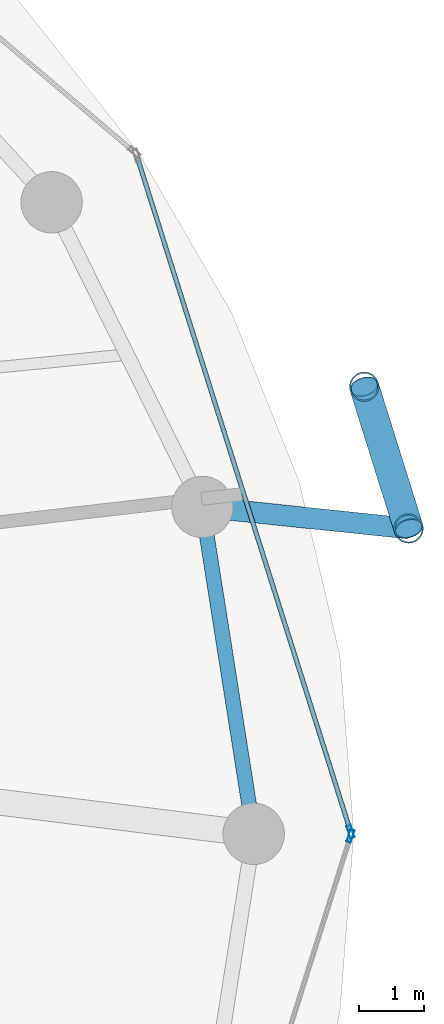
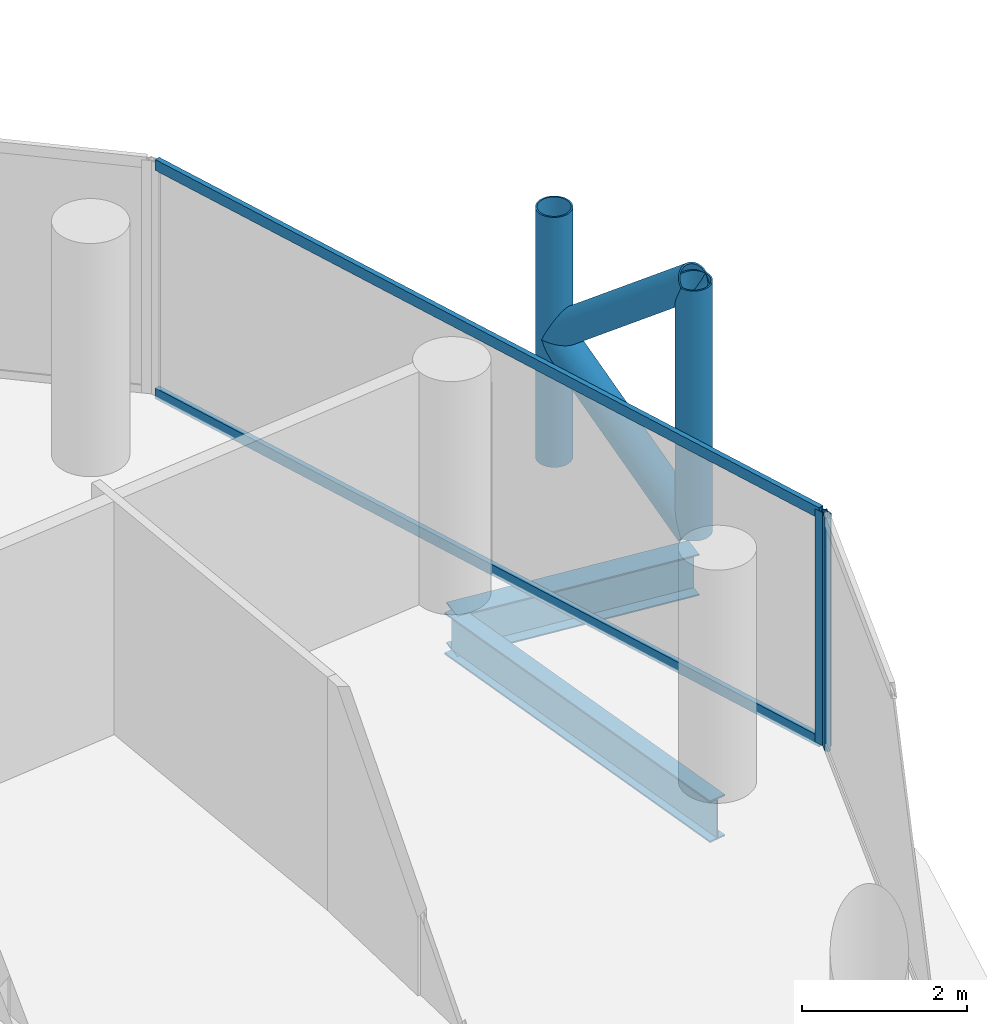
# One storey, part 12 of 26: 8 members, 2 beams, 2 elements without a shape of their own.
"""IFC4 building model written with IfcOpenShell, lengths in metres."""

from ifc_helpers import new_model, si_unit, direction, frame, origin, origin_2d, place, context, subcontext, project, spatial, hollow_rectangle, hollow_circle, i_section, extrude, material, layer, layer_set, material_profile, profile_set, type_object, element, aggregate, save


model = new_model("IFC4")

# Units and contexts
model_context = context("Model", 3, precision=1e-05, world=origin(), true_north=direction((0.0, 1.0)))
body_context = subcontext(model_context, "Body", "Model", "MODEL_VIEW")
ifc_project = project(units=[si_unit("LENGTHUNIT", "METRE"), si_unit("AREAUNIT", "SQUARE_METRE"), si_unit("VOLUMEUNIT", "CUBIC_METRE"), si_unit("PLANEANGLEUNIT", "RADIAN"), si_unit("MASSUNIT", "GRAM", prefix="KILO")], contexts=[model_context])

# Site, building, storey
site_placement = place(None, origin())
site = spatial("IfcSite", under=ifc_project, at=site_placement, CompositionType="ELEMENT")
building_placement = place(site_placement, origin())
building = spatial("IfcBuilding", under=site, at=building_placement, Name="Nuhasar Tower", CompositionType="ELEMENT")
storey_placement = place(building_placement, frame((0.0, 0.0, 133.050048828125)))
storey = spatial("IfcBuildingStorey", under=building, at=storey_placement, Name="L31", CompositionType="ELEMENT", Elevation=133.050048828125)

# Beams
ifc_material_1 = material(Name="Steel S355", Category="steel")
ifc_material_profile_1 = material_profile(ifc_material_1, i_section(OverallWidth=0.22998046875, OverallDepth=0.616943359375, WebThickness=0.01318359375, FlangeThickness=0.022216796875, at=origin_2d()), Name="W24X94")
ifc_profile_set_1 = profile_set([ifc_material_profile_1], Name="Steel S355")
beam_type_1 = type_object("IfcBeamType", Name="BM-RING-W24X94", PredefinedType="SPANDREL", material=ifc_profile_set_1)
beam_1_placement = place(storey_placement, frame((62.35009765625, 26.800048828125, -0.55810546875), z_axis=(-0.155426543608, 0.987847452566, 0.0), x_axis=(-0.987847452566, -0.155426543608, 0.0)))
element("IfcBeam", 1, at=beam_1_placement, inside=storey, type_object=beam_type_1, Name="L31 Perimeter Ring Spandrel 01", PredefinedType="SPANDREL", context=body_context, shape_type="SweptSolid", body=[
    extrude(i_section(OverallWidth=0.22998046875, OverallDepth=0.616943359375, WebThickness=0.01318359375, FlangeThickness=0.022216796875, at=origin_2d()), origin(), (0.0, 0.0, 1.0), 5.122314453125),
])
ifc_material_profile_2 = material_profile(ifc_material_1, i_section(OverallWidth=0.323974609375, OverallDepth=0.611083984375, WebThickness=0.0126953125, FlangeThickness=0.01904296875, at=origin_2d()), Name="W24X104")
ifc_profile_set_2 = profile_set([ifc_material_profile_2], Name="Steel S355")
beam_type_2 = type_object("IfcBeamType", Name="BM-TIE-W24X104", PredefinedType="BEAM", material=ifc_profile_set_2)
beam_2_placement = place(storey_placement, frame((61.553955078125, 31.860107421875, -0.554931640625), z_axis=(0.994569828715, -0.104071397654, 0.0), x_axis=(0.104071397654, 0.994569828715, 0.0)))
element("IfcBeam", 2, at=beam_2_placement, inside=storey, type_object=beam_type_2, Name="L31 Exoskeleton Node Tie Beam 01", PredefinedType="BEAM", context=body_context, shape_type="SweptSolid", body=[
    extrude(i_section(OverallWidth=0.323974609375, OverallDepth=0.611083984375, WebThickness=0.0126953125, FlangeThickness=0.01904296875, at=origin_2d()), origin(), (0.0, 0.0, 1.0), 3.21142578125),
])

# Curtain wall, member
ifc_material_2 = material(Name="Aluminium 6063-T6", Category="aluminium")
ifc_layer = layer(ifc_material_2, 0.199951171875)
ifc_layer_set = layer_set([ifc_layer], Name="Aluminium 6063-T6")
curtain_wall_type = type_object("IfcCurtainWallType", Name="CW-Z2-HTL", PredefinedType="NOTDEFINED", material=ifc_layer_set)
curtain_wall_1_placement = place(storey_placement, origin())
curtain_wall_1 = element("IfcCurtainWall", 3, at=curtain_wall_1_placement, inside=storey, type_object=curtain_wall_type, Name="L31 Unitised Curtain Wall 01", PredefinedType="NOTDEFINED")
ifc_material_profile_3 = material_profile(ifc_material_2, hollow_rectangle(XDim=0.070068359375, YDim=0.199951171875, WallThickness=0.0048828125, at=origin_2d()), Name="CWM-3")
ifc_profile_set_3 = profile_set([ifc_material_profile_3], Name="Aluminium 6063-T6")
member_type_1 = type_object("IfcMemberType", Name="CW-MUL-S3", PredefinedType="MULLION", material=ifc_profile_set_3)
member_1_placement = place(storey_placement, frame((63.849365234375, 26.833251953125, 0.0), z_axis=(0.0, 0.0, 1.0), x_axis=(-0.953433389233, -0.301603667577, 0.0)))
member_1 = element("IfcMember", 4, at=member_1_placement, type_object=member_type_1, Name="CW-Z2 mullion 1", PredefinedType="MULLION", context=body_context, shape_type="SweptSolid", body=[
    extrude(hollow_rectangle(XDim=0.070068359375, YDim=0.199951171875, WallThickness=0.0048828125, at=origin_2d()), origin(), (0.0, 0.0, 1.0), 3.449951171875),
])

curtain_wall_2_placement = place(storey_placement, origin())
curtain_wall_2 = element("IfcCurtainWall", 5, at=curtain_wall_2_placement, inside=storey, type_object=curtain_wall_type, Name="L31 Unitised Curtain Wall 12", PredefinedType="NOTDEFINED")
member_2_placement = place(storey_placement, frame((63.849365234375, 26.7666015625, 0.0), z_axis=(0.0, 0.0, 1.0), x_axis=(-0.953433389233, 0.301603667577, 0.0)))
member_2 = element("IfcMember", 6, at=member_2_placement, type_object=member_type_1, Name="CW-Z2 mullion 2", PredefinedType="MULLION", context=body_context, shape_type="SweptSolid", body=[
    extrude(hollow_rectangle(XDim=0.070068359375, YDim=0.199951171875, WallThickness=0.0048828125, at=origin_2d()), origin(), (0.0, 0.0, 1.0), 3.449951171875),
])
aggregate(curtain_wall_2, [member_2])

# Member
ifc_material_profile_4 = material_profile(ifc_material_2, hollow_rectangle(XDim=0.070068359375, YDim=0.159912109375, WallThickness=0.00439453125, at=origin_2d()), Name="CWT-3")
ifc_profile_set_4 = profile_set([ifc_material_profile_4], Name="Aluminium 6063-T6")
member_type_2 = type_object("IfcMemberType", Name="CW-TRN-S3", PredefinedType="USERDEFINED", material=ifc_profile_set_4)
member_3_placement = place(storey_placement, frame((63.8388671875, 26.86669921875, 0.034912109375), z_axis=(-0.301608163352, 0.953431967053, 0.0), x_axis=(-0.953431967053, -0.301608163352, 0.0)))
member_3 = element("IfcMember", 7, at=member_3_placement, type_object=member_type_2, Name="CW-Z2 transom 1.1", ObjectType="TRANSOM", PredefinedType="USERDEFINED", context=body_context, shape_type="SweptSolid", body=[
    extrude(hollow_rectangle(XDim=0.070068359375, YDim=0.159912109375, WallThickness=0.00439453125, at=origin_2d()), origin(), (0.0, 0.0, 1.0), 10.904296875),
])

member_4_placement = place(storey_placement, frame((63.8388671875, 26.86669921875, 3.4150390625), z_axis=(-0.301608163352, 0.953431967053, 0.0), x_axis=(-0.953431967053, -0.301608163352, 0.0)))
member_4 = element("IfcMember", 8, at=member_4_placement, type_object=member_type_2, Name="CW-Z2 transom 1.2", ObjectType="TRANSOM", PredefinedType="USERDEFINED", context=body_context, shape_type="SweptSolid", body=[
    extrude(hollow_rectangle(XDim=0.070068359375, YDim=0.159912109375, WallThickness=0.00439453125, at=origin_2d()), origin(), (0.0, 0.0, 1.0), 10.904296875),
])

aggregate(curtain_wall_1, [member_1, member_3, member_4])

# Members
ifc_material_3 = material(Name="Steel S460", Category="steel")
ifc_material_profile_5 = material_profile(ifc_material_3, hollow_circle(Radius=0.228515625, WallThickness=0.022216796875, at=origin_2d()), Name="HSS457X22.2")
ifc_profile_set_5 = profile_set([ifc_material_profile_5], Name="Steel S460")
member_type_3 = type_object("IfcMemberType", Name="EXO-BRONZE-457", PredefinedType="BRACE", material=ifc_profile_set_5)
for number, where, z_axis, x_axis, name in (
    (9, (64.748046875, 31.52587890625, 0.0), (0.0, 0.0, 1.0), (1.0, 0.0, 0.0), "L31 Exoskeleton Chord Column EC-01A"),
    (10, (64.06005859375, 33.720947265625, 0.0), (0.0, 0.0, 1.0), (1.0, 0.0, 0.0), "L31 Exoskeleton Chord Column EC-01B"),
):
    element("IfcMember", number, at=place(storey_placement, frame(where, z_axis=z_axis, x_axis=x_axis)), inside=storey, type_object=member_type_3, Name=name, PredefinedType="BRACE", context=body_context, shape_type="SweptSolid", body=[
        extrude(hollow_circle(Radius=0.228515625, WallThickness=0.022216796875, at=origin_2d()), origin(), (0.0, 0.0, 1.0), 3.699951171875),
    ])
member_5_placement = place(storey_placement, frame((64.748046875, 31.52587890625, 0.0), z_axis=(-0.233067628236, 0.74361641074, 0.626669062861), x_axis=(-0.954228474306, -0.29907861646, 0.0)))
element("IfcMember", 11, at=member_5_placement, inside=storey, type_object=member_type_3, Name="L31 Bronze Diagrid Brace W1-01", PredefinedType="BRACE", context=body_context, shape_type="SweptSolid", body=[
    extrude(hollow_circle(Radius=0.228515625, WallThickness=0.022216796875, at=origin_2d()), origin(), (0.0, 0.0, 1.0), 2.951904296875),
])
member_6_placement = place(storey_placement, frame((64.06005859375, 33.720947265625, 1.849853515625), z_axis=(0.233055548538, -0.743577869731, 0.626719285599), x_axis=(0.954228474306, 0.29907861646, 0.0)))
element("IfcMember", 12, at=member_6_placement, inside=storey, type_object=member_type_3, Name="L31 Bronze Diagrid Brace W2-01", PredefinedType="BRACE", context=body_context, shape_type="SweptSolid", body=[
    extrude(hollow_circle(Radius=0.228515625, WallThickness=0.022216796875, at=origin_2d()), origin(), (0.0, 0.0, 1.0), 2.9521484375),
])

save(model, "model.ifc")
